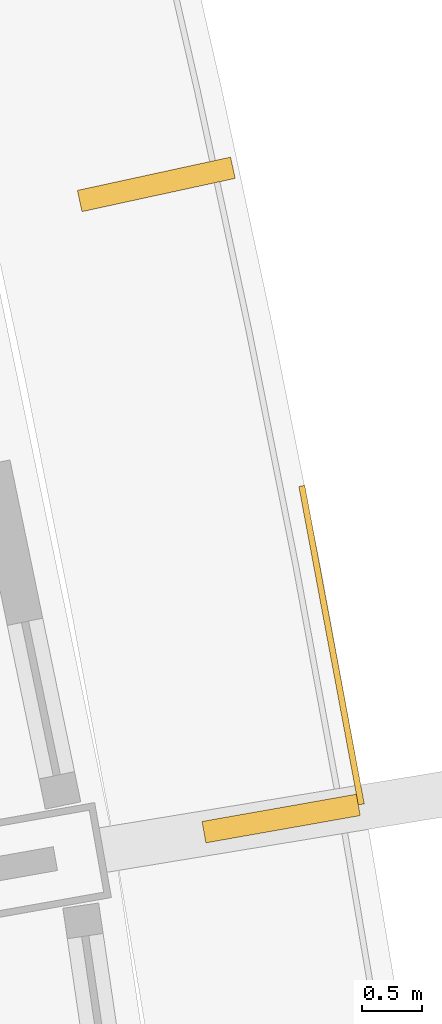
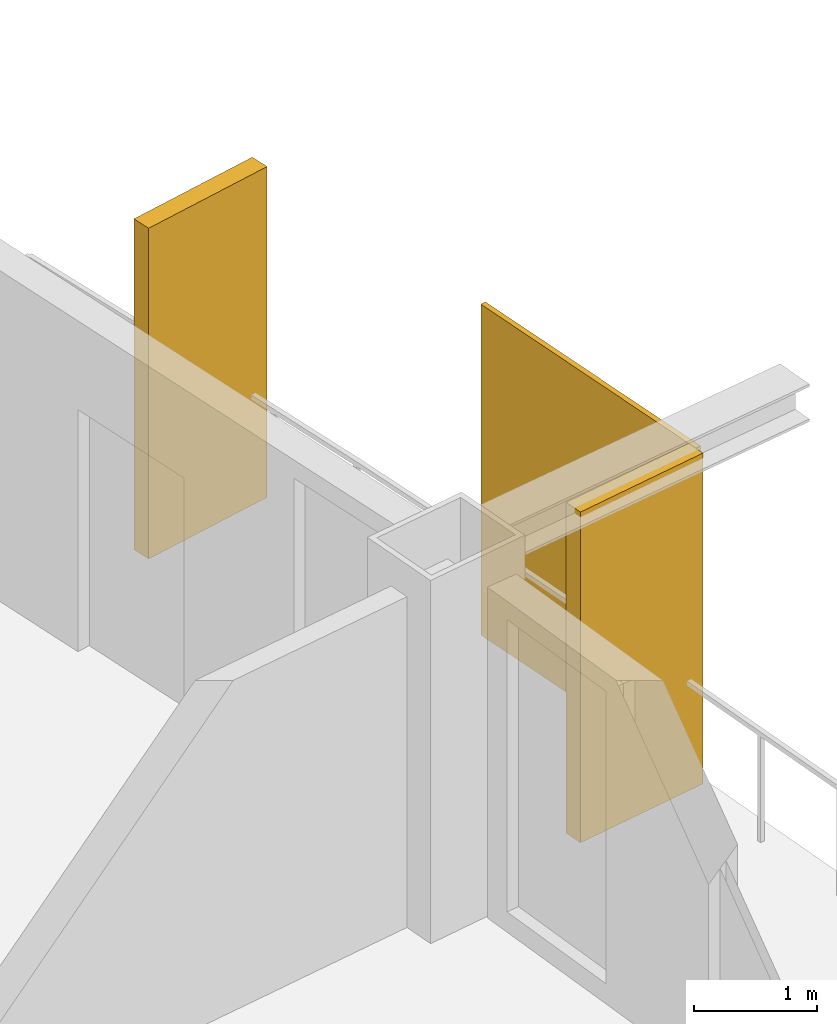
# One storey, part 15 of 15: 3 shading devices.
"""IFC4 building model written with IfcOpenShell, lengths in metres."""

import ifcopenshell
import ifcopenshell.guid

model = None  # the IFC model being written
_history = None  # IfcOwnerHistory: only IFC2X3 demands one
_inside = {}  # id of a spatial element -> (the spatial element, [elements in it])
_under = {}  # id of a project, library or spatial element -> (it, [spatial elements below it])
_declared = {}  # id of a project -> (the project, [libraries it declares])
_typed = {}  # id of a type object -> (the type object, [elements of that type])
_made_of = {}  # id of a material, layer set ... -> (it, [elements and type objects made of it])


def new_model(schema):
    """Start an empty IFC model of exactly this schema.

    Asked for "IFC4X3", IfcOpenShell would pick the latest addendum, in which some entities
    have other attributes; the version numbers below select the first issue.
    IFC2X3 requires an IfcOwnerHistory on every rooted entity: one is made here for all.
    """
    global model, _history
    if schema == "IFC4X3":
        model = ifcopenshell.file(schema_version=(4, 3, 0, 0))
    else:
        model = ifcopenshell.file(schema=schema)
    _inside.clear()
    _under.clear()
    _declared.clear()
    _typed.clear()
    _made_of.clear()
    _history = None
    if model.schema == "IFC2X3":
        org = make("IfcOrganization", Name="unknown")
        user = make(
            "IfcPersonAndOrganization",
            ThePerson=make("IfcPerson", FamilyName="unknown"),
            TheOrganization=org,
        )
        app = make(
            "IfcApplication",
            ApplicationDeveloper=org,
            Version="unknown",
            ApplicationFullName="unknown",
            ApplicationIdentifier="unknown",
        )
        _history = make(
            "IfcOwnerHistory",
            OwningUser=user,
            OwningApplication=app,
            ChangeAction="ADDED",
            CreationDate=0,
        )
    return model


def make(cls, **values):
    """One entity of the class cls with the attributes given. An attribute that is None is left unset."""
    return model.create_entity(
        cls, **{name: value for name, value in values.items() if value is not None}
    )


def rooted(cls, **values):
    """An entity with a GlobalId (a new one), such as an element, a storey or a relation."""
    return make(cls, GlobalId=ifcopenshell.guid.new(), OwnerHistory=_history, **values)


def si_unit(unit_type, name, prefix=None):
    """IfcSIUnit, for example si_unit("LENGTHUNIT", "METRE", prefix="MILLI")."""
    return make("IfcSIUnit", UnitType=unit_type, Prefix=prefix, Name=name)


def assignment(units):
    """IfcUnitAssignment: the units of a project."""
    return None if units is None else make("IfcUnitAssignment", Units=units)


def point(xyz):
    """IfcCartesianPoint."""
    return None if xyz is None else make("IfcCartesianPoint", Coordinates=xyz)


def direction(xyz):
    """IfcDirection."""
    return None if xyz is None else make("IfcDirection", DirectionRatios=xyz)


def frame(location, z_axis=None, x_axis=None):
    """IfcAxis2Placement3D, a coordinate frame: its origin and axes. An axis left out is left unset."""
    return make(
        "IfcAxis2Placement3D",
        Location=point(location),
        Axis=direction(z_axis),
        RefDirection=direction(x_axis),
    )


def frame_2d(location, x_axis=None):
    """IfcAxis2Placement2D, a coordinate frame in the plane: its origin and x axis."""
    return make(
        "IfcAxis2Placement2D", Location=point(location), RefDirection=direction(x_axis)
    )


def origin():
    """The frame at (0, 0, 0) with its axes left unset."""
    return frame((0.0, 0.0, 0.0))


def origin_2d():
    """The frame at (0, 0) in the plane with its x axis left unset."""
    return frame_2d((0.0, 0.0))


def place(relative_to, where):
    """IfcLocalPlacement: puts the frame where relative to a parent placement (None: the world)."""
    return make(
        "IfcLocalPlacement", PlacementRelTo=relative_to, RelativePlacement=where
    )


def context(
    kind, dimensions, precision=None, world=None, true_north=None, identifier=None
):
    """IfcGeometricRepresentationContext, for example the 3D "Model" context."""
    return make(
        "IfcGeometricRepresentationContext",
        ContextIdentifier=identifier,
        ContextType=kind,
        CoordinateSpaceDimension=dimensions,
        Precision=precision,
        WorldCoordinateSystem=world,
        TrueNorth=true_north,
    )


def subcontext(parent, identifier, kind, view, scale=None):
    """IfcGeometricRepresentationSubContext, for example "Body" below "Model"."""
    return make(
        "IfcGeometricRepresentationSubContext",
        ContextIdentifier=identifier,
        ContextType=kind,
        ParentContext=parent,
        TargetScale=scale,
        TargetView=view,
    )


def project(units=None, contexts=None):
    """IfcProject with its units and contexts."""
    return rooted(
        "IfcProject",
        Name="project",
        RepresentationContexts=contexts,
        UnitsInContext=assignment(units),
    )


def spatial(cls, under=None, at=None, **own):
    """A site, building, storey or space (cls), placed at a placement, below another one or the project."""
    s = rooted(cls, ObjectPlacement=at, **own)
    if under is not None:
        _under.setdefault(under.id(), (under, []))[1].append(s)
    return s


def profile(cls, at=None, kind="AREA", **sizes):
    """A parametric profile (cls). Its sizes go by their IFC names, for example OverallWidth=200.0."""
    return make(cls, ProfileType=kind, Position=at, **sizes)


def rectangle(**sizes):
    """IfcRectangleProfileDef."""
    return profile("IfcRectangleProfileDef", **sizes)


def extrude(swept, where, along, depth):
    """IfcExtrudedAreaSolid: the profile swept, set in the frame where, extruded along a direction by depth."""
    return make(
        "IfcExtrudedAreaSolid",
        SweptArea=swept,
        Position=where,
        ExtrudedDirection=direction(along),
        Depth=depth,
    )


def shape(context_of_items, identifier, shape_type, items):
    """IfcShapeRepresentation: the items that make up one representation, for example the "Body"."""
    return make(
        "IfcShapeRepresentation",
        ContextOfItems=context_of_items,
        RepresentationIdentifier=identifier,
        RepresentationType=shape_type,
        Items=items,
    )


def material(Name=None, Category=None):
    """IfcMaterial."""
    return make("IfcMaterial", Name=Name, Category=Category)


def layer(
    of_material, thickness, ventilated=None, Name=None, Category=None, Priority=None
):
    """IfcMaterialLayer: one layer of a wall or slab, of a material (None: an air gap)."""
    return make(
        "IfcMaterialLayer",
        Material=of_material,
        LayerThickness=thickness,
        IsVentilated=ventilated,
        Name=Name,
        Category=Category,
        Priority=Priority,
    )


def layer_set(layers, Name=None):
    """IfcMaterialLayerSet."""
    return make("IfcMaterialLayerSet", MaterialLayers=layers, LayerSetName=Name)


def made_of(thing, what):
    """Note that an element or type object is made of a material, layer set ...; save() writes the relation."""
    if what is not None:
        _made_of.setdefault(what.id(), (what, []))[1].append(thing)
    return thing


def type_object(cls, material=None, **own):
    """A type object (cls), such as IfcWallType, which elements share."""
    return made_of(rooted(cls, **own), material)


def element(
    cls,
    number,
    at=None,
    inside=None,
    cuts=None,
    type_object=None,
    material=None,
    context=None,
    identifier="Body",
    shape_type=None,
    held_by="IfcProductDefinitionShape",
    body=None,
    shapes=None,
    **own,
):
    """One element of the class cls, such as IfcWall. Its Tag is "e" and its number.

    at: its placement. inside: the storey or other place that contains it. cuts: it is an
    opening in that element (IfcRelVoidsElement). A single representation is given by context,
    identifier, shape_type and body (its items); several are given by shapes. held_by: the class
    of the entity that holds the representations. save() writes the other relations.
    """
    e = rooted(cls, Tag="e%d" % number, ObjectPlacement=at, **own)
    if body is not None:
        shapes = [shape(context, identifier, shape_type, body)]
    if shapes is not None:
        e.Representation = make(held_by, Representations=shapes)
    if inside is not None:
        _inside.setdefault(inside.id(), (inside, []))[1].append(e)
    if cuts is not None:
        rooted(
            "IfcRelVoidsElement", RelatingBuildingElement=cuts, RelatedOpeningElement=e
        )
    if type_object is not None:
        _typed.setdefault(type_object.id(), (type_object, []))[1].append(e)
    return made_of(e, material)


def aggregate(whole, parts):
    """IfcRelAggregates: a whole, such as a stair, and the parts it consists of."""
    return rooted("IfcRelAggregates", RelatingObject=whole, RelatedObjects=parts)


def save(model, path):
    """Write the relations noted so far, then the file.

    IfcRelAggregates (storeys below a building ...), IfcRelContainedInSpatialStructure (elements
    in a storey), IfcRelDefinesByType, IfcRelAssociatesMaterial and IfcRelDeclares: one each for
    every whole, place, type object, material and project.
    """
    for whole, parts in _under.values():
        aggregate(whole, parts)
    for where, things in _inside.values():
        rooted(
            "IfcRelContainedInSpatialStructure",
            RelatedElements=things,
            RelatingStructure=where,
        )
    for kind, things in _typed.values():
        rooted("IfcRelDefinesByType", RelatedObjects=things, RelatingType=kind)
    for what, things in _made_of.values():
        rooted("IfcRelAssociatesMaterial", RelatedObjects=things, RelatingMaterial=what)
    for by, libraries in _declared.values():
        rooted("IfcRelDeclares", RelatingContext=by, RelatedDefinitions=libraries)
    model.write(path)


model = new_model("IFC4")

# Units and contexts
model_context = context("Model", 3, precision=1e-05, world=origin(), true_north=direction((0.0, 1.0)))
body_context = subcontext(model_context, "Body", "Model", "MODEL_VIEW")
ifc_project = project(units=[si_unit("LENGTHUNIT", "METRE"), si_unit("AREAUNIT", "SQUARE_METRE"), si_unit("VOLUMEUNIT", "CUBIC_METRE"), si_unit("PLANEANGLEUNIT", "RADIAN"), si_unit("MASSUNIT", "GRAM", prefix="KILO")], contexts=[model_context])

# Site, building, storey
site_placement = place(None, origin())
site = spatial("IfcSite", under=ifc_project, at=site_placement, CompositionType="ELEMENT")
building_placement = place(site_placement, origin())
building = spatial("IfcBuilding", under=site, at=building_placement, Name="Alderwake Tower", CompositionType="ELEMENT")
storey_placement = place(building_placement, frame((0.0, 0.0, 285.199951171875)))
storey = spatial("IfcBuildingStorey", under=building, at=storey_placement, Name="L71", CompositionType="ELEMENT", Elevation=285.199951171875)

# Shading devices
ifc_material_1 = material(Name="Bronze anodised aluminium", Category="aluminium")
ifc_layer_1 = layer(ifc_material_1, 0.179931640625)
ifc_layer_set_1 = layer_set([ifc_layer_1], Name="Facade fin 1300")
shading_device_type_1 = type_object("IfcShadingDeviceType", Name="Facade fin 1300", PredefinedType="USERDEFINED", material=ifc_layer_set_1)
for number, where, z_axis, x_axis, name in (
    (1, (55.6953125, 84.9921875, 0.0), (0.0, 0.0, 1.0), (0.984726421654, 0.174108800747, 0.0), "Fin"),
    (2, (54.65966796875, 90.251220703125, 0.0), (0.0, 0.0, 1.0), (0.977210363881, 0.212273184185, 0.0), "Fin"),
):
    element("IfcShadingDevice", number, at=place(storey_placement, frame(where, z_axis=z_axis, x_axis=x_axis)), inside=storey, type_object=shading_device_type_1, Name=name, ObjectType="FIN", PredefinedType="USERDEFINED", context=body_context, shape_type="SweptSolid", body=[
        extrude(rectangle(XDim=1.300048828125, YDim=0.179931640625, at=origin_2d()), origin(), (0.0, 0.0, 1.0), 3.280029296875),
    ])
ifc_material_2 = material(Name="Perforated bronze anodised aluminium", Category="aluminium")
ifc_layer_2 = layer(ifc_material_2, 0.050048828125)
ifc_layer_set_2 = layer_set([ifc_layer_2], Name="Perforated screen panel")
shading_device_type_2 = type_object("IfcShadingDeviceType", Name="Perforated screen panel", PredefinedType="USERDEFINED", material=ifc_layer_set_2)
shading_device_placement = place(storey_placement, frame((56.11328125, 86.429931640625, 0.0), z_axis=(0.0, 0.0, 1.0), x_axis=(0.982991488043, 0.183651121519, 0.0)))
element("IfcShadingDevice", 3, at=shading_device_placement, inside=storey, type_object=shading_device_type_2, Name="Screen panel", ObjectType="SCREEN", PredefinedType="USERDEFINED", context=body_context, shape_type="SweptSolid", body=[
    extrude(rectangle(XDim=0.050048828125, YDim=2.686279296875, at=origin_2d()), origin(), (0.0, 0.0, 1.0), 3.280029296875),
])

save(model, "model.ifc")
